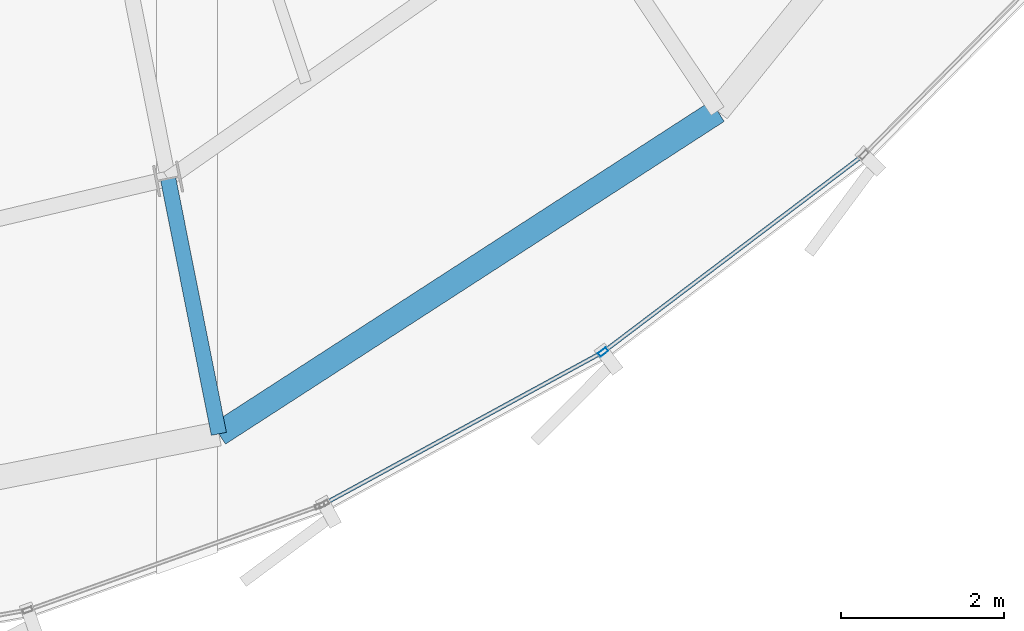
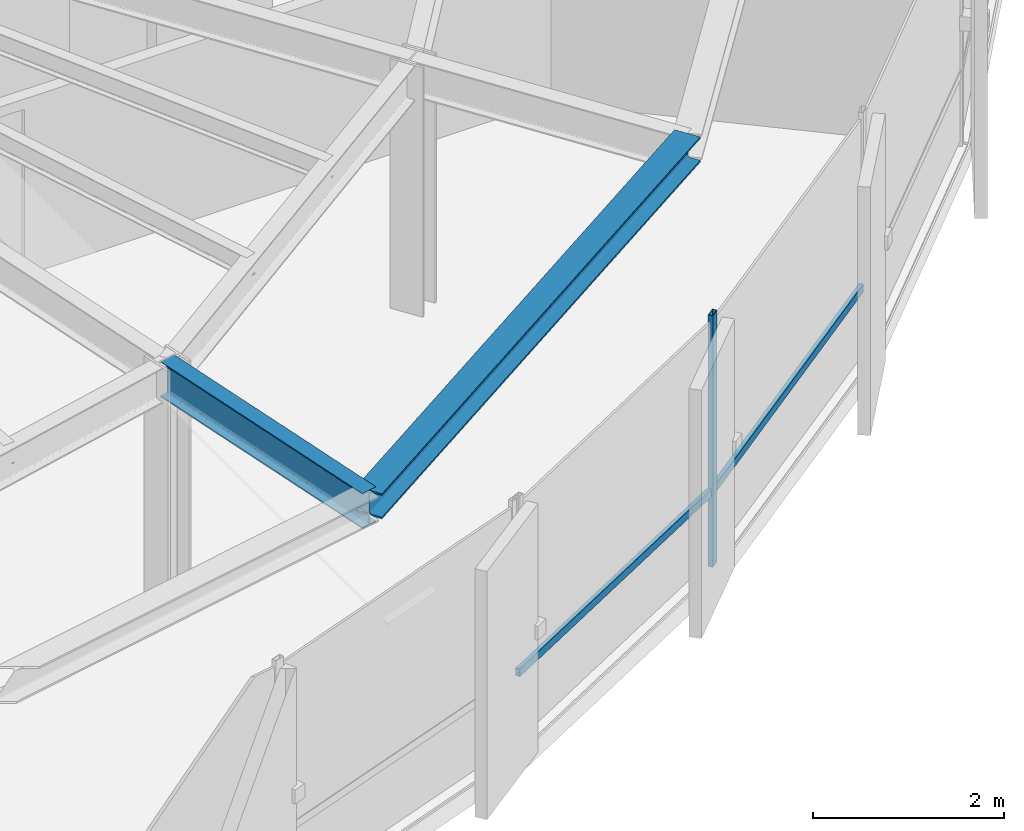
# One storey, part 7 of 33: 3 members, 2 beams, 1 element without a shape of its own.
"""IFC4 building model written with IfcOpenShell, lengths in metres."""

from ifc_helpers import new_model, si_unit, direction, frame, origin, origin_2d, place, context, subcontext, project, spatial, hollow_rectangle, i_section, extrude, source, transform, mapped, material, layer, layer_set, material_profile, profile_set, type_object, element, aggregate, save


model = new_model("IFC4")

# Units and contexts
model_context = context("Model", 3, precision=1e-05, world=origin(), true_north=direction((0.0, 1.0)))
body_context = subcontext(model_context, "Body", "Model", "MODEL_VIEW")
ifc_project = project(units=[si_unit("LENGTHUNIT", "METRE"), si_unit("AREAUNIT", "SQUARE_METRE"), si_unit("VOLUMEUNIT", "CUBIC_METRE"), si_unit("PLANEANGLEUNIT", "RADIAN"), si_unit("MASSUNIT", "GRAM", prefix="KILO"), si_unit("THERMODYNAMICTEMPERATUREUNIT", "KELVIN")], contexts=[model_context])

# Site, building, storey
site_placement = place(None, origin())
site = spatial("IfcSite", under=ifc_project, at=site_placement, CompositionType="ELEMENT")
building_placement = place(site_placement, origin())
building = spatial("IfcBuilding", under=site, at=building_placement, Name="Kethvar Cultural Tower", CompositionType="ELEMENT")
storey_placement = place(building_placement, frame((0.0, 0.0, 235.300048828125)))
storey = spatial("IfcBuildingStorey", under=building, at=storey_placement, Name="L61", CompositionType="ELEMENT", Elevation=235.300048828125)

# Beams
ifc_material_1 = material(Name="Steel S355J2", Category="steel")
ifc_material_profile_1 = material_profile(ifc_material_1, i_section(OverallWidth=0.18994140625, OverallDepth=0.449951171875, WebThickness=0.009521484375, FlangeThickness=0.0146484375, FilletRadius=0.02099609375, at=origin_2d()), Name="Steel S355J2 — IPE450")
ifc_profile_set_1 = profile_set([ifc_material_profile_1], Name="Steel S355J2 — IPE450")
beam_type_1 = type_object("IfcBeamType", Name="BM-IPE450", PredefinedType="BEAM", material=ifc_profile_set_1)
shared_shape_1 = source(origin(), body_context, "Body", "SweptSolid", [
    extrude(i_section(OverallWidth=0.18994140625, OverallDepth=0.449951171875, WebThickness=0.009521484375, FlangeThickness=0.0146484375, FilletRadius=0.02099609375, at=origin_2d()), origin(), (0.0, 0.0, 1.0), 3.199951171875),
])
beam_1_placement = place(storey_placement, frame((49.901611328125, 12.206787109375, 2.98291015625), z_axis=(0.195088965533, -0.980785550224, 0.0), x_axis=(0.980785550224, 0.195088965533, 0.0)))
element("IfcBeam", 1, at=beam_1_placement, inside=storey, type_object=beam_type_1, Name="L61 Perimeter Cantilever Beam RC-13", PredefinedType="BEAM", context=body_context, shape_type="MappedRepresentation", body=[
    mapped(shared_shape_1, transform((0.0, 0.0, 0.0), scale=1.0)),
])
ifc_material_profile_2 = material_profile(ifc_material_1, i_section(OverallWidth=0.300048828125, OverallDepth=0.320068359375, WebThickness=0.011474609375, FlangeThickness=0.0205078125, FilletRadius=0.027099609375, at=origin_2d()), Name="Steel S355J2 — HEB320")
ifc_profile_set_2 = profile_set([ifc_material_profile_2], Name="Steel S355J2 — HEB320")
beam_type_2 = type_object("IfcBeamType", Name="BM-SP320", PredefinedType="SPANDREL", material=ifc_profile_set_2)
shared_shape_2 = source(origin(), body_context, "Body", "SweptSolid", [
    extrude(i_section(OverallWidth=0.300048828125, OverallDepth=0.320068359375, WebThickness=0.011474609375, FlangeThickness=0.0205078125, FilletRadius=0.027099609375, at=origin_2d()), origin(), (0.0, 0.0, 1.0), 7.309326171875),
])
beam_2_placement = place(storey_placement, frame((50.52587890625, 9.068359375, 3.0478515625), z_axis=(0.839562091992, 0.543263742292, 0.0), x_axis=(-0.543263742292, 0.839562091992, 0.0)))
element("IfcBeam", 2, at=beam_2_placement, inside=storey, type_object=beam_type_2, Name="L61 Perimeter Spandrel Beam SP-13", PredefinedType="SPANDREL", context=body_context, shape_type="MappedRepresentation", body=[
    mapped(shared_shape_2, transform((0.0, 0.0, 0.0), scale=1.0)),
])

# Curtain wall, members
ifc_material_2 = material(Name="Aluminium 6063-T6", Category="aluminium")
ifc_layer = layer(ifc_material_2, 0.179931640625, Name="Aluminium 6063-T6", Category="aluminium")
ifc_layer_set = layer_set([ifc_layer], Name="Aluminium 6063-T6 (180 mm)")
curtain_wall_type = type_object("IfcCurtainWallType", Name="CW-SYS-05-Z56", PredefinedType="NOTDEFINED", material=ifc_layer_set)
curtain_wall_placement = place(storey_placement, origin())
curtain_wall = element("IfcCurtainWall", 3, at=curtain_wall_placement, inside=storey, type_object=curtain_wall_type, Name="L61 Curtain Wall Run 05", PredefinedType="NOTDEFINED")
ifc_material_profile_3 = material_profile(ifc_material_2, hollow_rectangle(XDim=0.054931640625, YDim=0.1201171875, WallThickness=0.00390625, at=origin_2d()), Name="Aluminium 6063-T6 — RHS120x55x4")
ifc_profile_set_3 = profile_set([ifc_material_profile_3], Name="Aluminium 6063-T6 — RHS120x55x4")
member_type_1 = type_object("IfcMemberType", Name="CW-SYS-05-Z56-MUL", PredefinedType="MULLION", material=ifc_profile_set_3)
shared_shape_3 = source(origin(), body_context, "Body", "SweptSolid", [
    extrude(hollow_rectangle(XDim=0.054931640625, YDim=0.1201171875, WallThickness=0.00390625, at=origin_2d()), origin(), (0.0, 0.0, 1.0), 3.2099609375),
])
member_1_placement = place(storey_placement, frame((55.25439453125, 10.075927734375, 0.0), z_axis=(0.0, 0.0, 1.0), x_axis=(-0.603375020102, 0.797457575748, 0.0)))
member_1 = element("IfcMember", 4, at=member_1_placement, type_object=member_type_1, Name="CW-L61-R05 Mullion 2", PredefinedType="MULLION", context=body_context, shape_type="MappedRepresentation", body=[
    mapped(shared_shape_3, transform((0.0, 0.0, 0.0), scale=1.0)),
])
ifc_material_profile_4 = material_profile(ifc_material_2, hollow_rectangle(XDim=0.050048828125, YDim=0.10009765625, WallThickness=0.00390625, at=origin_2d()), Name="Aluminium 6063-T6 — RHS100x50x4")
ifc_profile_set_4 = profile_set([ifc_material_profile_4], Name="Aluminium 6063-T6 — RHS100x50x4")
member_type_2 = type_object("IfcMemberType", Name="CW-SYS-05-Z56-TRN", PredefinedType="USERDEFINED", material=ifc_profile_set_4)
shared_shape_4 = source(origin(), body_context, "Body", "SweptSolid", [
    extrude(hollow_rectangle(XDim=0.050048828125, YDim=0.10009765625, WallThickness=0.00390625, at=origin_2d()), origin(), (0.0, 0.0, 1.0), 3.880859375),
])
member_2_placement = place(storey_placement, frame((51.823974609375, 8.208740234375, 0.949951171875), z_axis=(0.878159901211, 0.478367210316, 0.0), x_axis=(-0.478367210316, 0.878159901211, 0.0)))
member_2 = element("IfcMember", 5, at=member_2_placement, type_object=member_type_2, Name="CW-L61-R05 Transom 1", ObjectType="TRANSOM", PredefinedType="USERDEFINED", context=body_context, shape_type="MappedRepresentation", body=[
    mapped(shared_shape_4, transform((0.0, 0.0, 0.0), scale=1.0)),
])
shared_shape_5 = source(origin(), body_context, "Body", "SweptSolid", [
    extrude(hollow_rectangle(XDim=0.050048828125, YDim=0.10009765625, WallThickness=0.00390625, at=origin_2d()), origin(), (0.0, 0.0, 1.0), 3.95703125),
])
member_3_placement = place(storey_placement, frame((55.285888671875, 10.099853515625, 0.949951171875), z_axis=(0.797438479715, 0.603400257765, 0.0), x_axis=(-0.603400257765, 0.797438479715, 0.0)))
member_3 = element("IfcMember", 6, at=member_3_placement, type_object=member_type_2, Name="CW-L61-R05 Transom 2", ObjectType="TRANSOM", PredefinedType="USERDEFINED", context=body_context, shape_type="MappedRepresentation", body=[
    mapped(shared_shape_5, transform((0.0, 0.0, 0.0), scale=1.0)),
])
aggregate(curtain_wall, [member_1, member_2, member_3])

save(model, "model.ifc")
